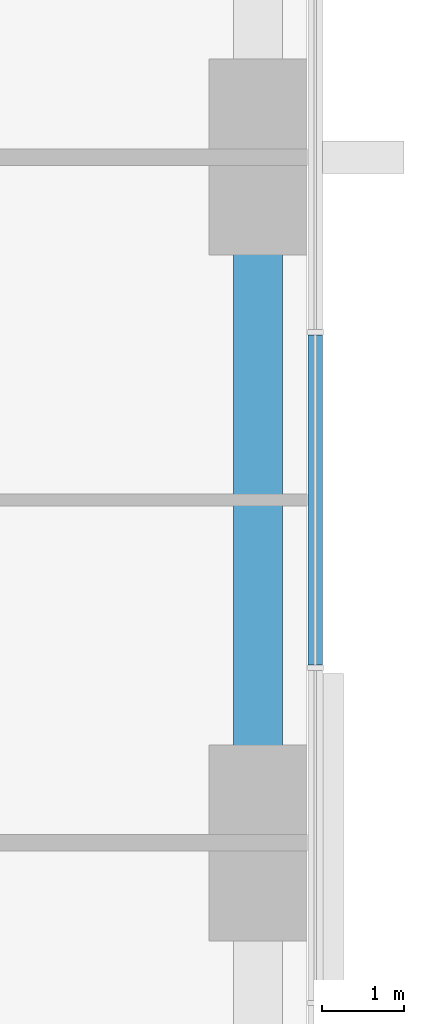
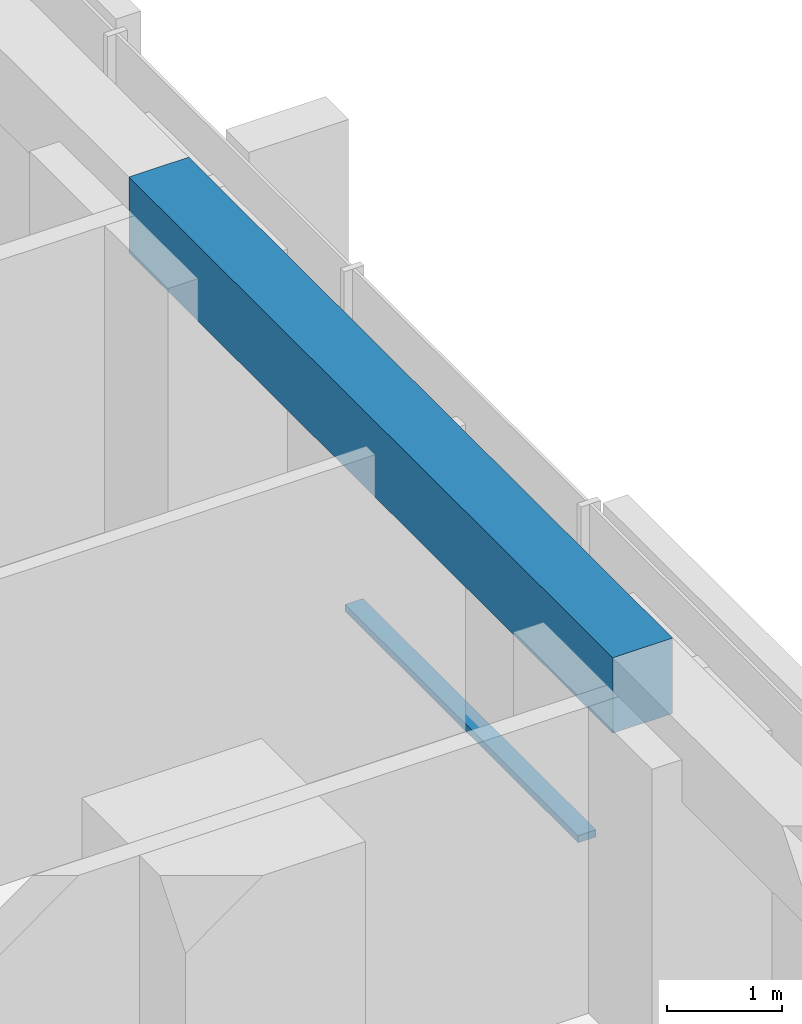
# One storey, part 5 of 17: 1 beam, 1 member, 1 element without a shape of its own.
"""IFC4 building model written with IfcOpenShell, lengths in metres."""

from ifc_helpers import new_model, si_unit, direction, frame, origin, origin_2d, place, context, subcontext, project, spatial, rectangle, extrude, material, material_profile, profile_set, type_object, element, aggregate, save


model = new_model("IFC4")

# Units and contexts
model_context = context("Model", 3, precision=1e-05, world=origin(), true_north=direction((0.0, 1.0)))
body_context = subcontext(model_context, "Body", "Model", "MODEL_VIEW")
ifc_project = project(units=[si_unit("LENGTHUNIT", "METRE"), si_unit("AREAUNIT", "SQUARE_METRE"), si_unit("VOLUMEUNIT", "CUBIC_METRE"), si_unit("PLANEANGLEUNIT", "RADIAN"), si_unit("MASSUNIT", "GRAM", prefix="KILO")], contexts=[model_context])

# Site, building, storey
site_placement = place(None, origin())
site = spatial("IfcSite", under=ifc_project, at=site_placement, CompositionType="ELEMENT")
building_placement = place(site_placement, origin())
building = spatial("IfcBuilding", under=site, at=building_placement, Name="Dunama Terrace Hotel", CompositionType="ELEMENT")
storey_placement = place(building_placement, frame((0.0, 0.0, 66.60009765625)))
storey = spatial("IfcBuildingStorey", under=building, at=storey_placement, Name="L16", CompositionType="ELEMENT", Elevation=66.60009765625)

# Curtain wall, member
ifc_material_1 = material(Name="Aluminium curtain wall system", Category="aluminium")
curtain_wall_type = type_object("IfcCurtainWallType", Name="Unitised fritted glass wall CW-A", PredefinedType="NOTDEFINED", material=ifc_material_1)
curtain_wall_placement = place(storey_placement, origin())
curtain_wall = element("IfcCurtainWall", 1, at=curtain_wall_placement, inside=storey, type_object=curtain_wall_type, Name="Unitised fritted glass wall CW-A L16", PredefinedType="NOTDEFINED")
ifc_material_2 = material(Name="Aluminium transom", Category="aluminium")
ifc_material_profile_1 = material_profile(ifc_material_2, rectangle(XDim=0.179931640625, YDim=0.074951171875, at=origin_2d()), Name="CWA TRANSOM 180X75")
ifc_profile_set_1 = profile_set([ifc_material_profile_1], Name="Aluminium transom")
member_type = type_object("IfcMemberType", Name="CWA transom 180x75", PredefinedType="USERDEFINED", material=ifc_profile_set_1)
member_placement = place(storey_placement, frame((58.89990234375, 27.37890625, 0.037353515625), z_axis=(0.0, 1.0, 0.0), x_axis=(-1.0, 0.0, 0.0)))
member = element("IfcMember", 2, at=member_placement, type_object=member_type, Name="CWA transom", ObjectType="TRANSOM", PredefinedType="USERDEFINED", context=body_context, shape_type="SweptSolid", body=[
    extrude(rectangle(XDim=0.179931640625, YDim=0.074951171875, at=origin_2d()), origin(), (0.0, 0.0, 1.0), 4.0419921875),
])
aggregate(curtain_wall, [member])

# Beam
ifc_material_3 = material(Name="Concrete C40/50", Category="concrete")
ifc_material_profile_2 = material_profile(ifc_material_3, rectangle(XDim=0.60009765625, YDim=0.800048828125, at=origin_2d()), Name="RC 600x800")
ifc_profile_set_2 = profile_set([ifc_material_profile_2], Name="Concrete C40/50")
beam_type = type_object("IfcBeamType", Name="Edge beam RC 600x800", PredefinedType="SPANDREL", material=ifc_profile_set_2)
beam_placement = place(storey_placement, frame((58.199951171875, 25.199951171875, 3.199951171875), z_axis=(0.0, 1.0, 0.0), x_axis=(-1.0, 0.0, 0.0)))
element("IfcBeam", 3, at=beam_placement, inside=storey, type_object=beam_type, Name="Edge beam under L17", PredefinedType="SPANDREL", context=body_context, shape_type="SweptSolid", body=[
    extrude(rectangle(XDim=0.60009765625, YDim=0.800048828125, at=origin_2d()), origin(), (0.0, 0.0, 1.0), 8.400146484375),
])

save(model, "model.ifc")
